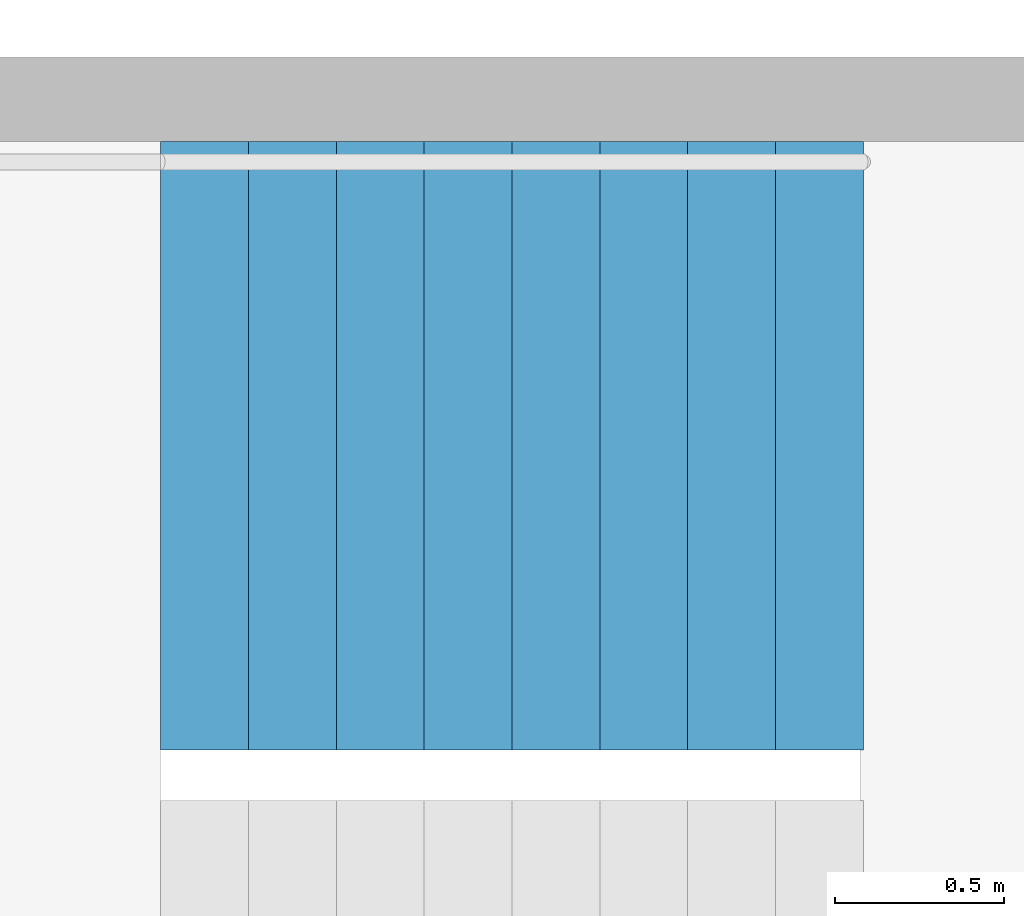
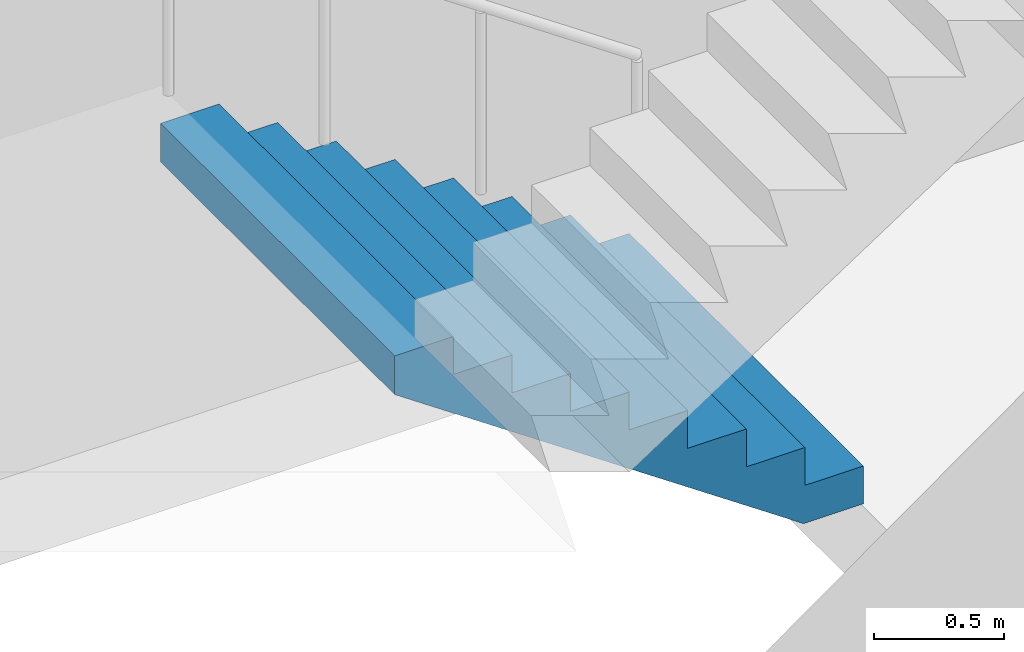
# One storey, part 21 of 34: 1 stair flight, 1 element without a shape of its own.
"""IFC4 building model written with IfcOpenShell, lengths in metres."""

from ifc_helpers import new_model, si_unit, direction, frame, origin, place, context, subcontext, project, spatial, triangles, material, type_object, element, aggregate, save


model = new_model("IFC4")

# Units and contexts
model_context = context("Model", 3, precision=1e-05, world=origin(), true_north=direction((0.0, 1.0)))
body_context = subcontext(model_context, "Body", "Model", "MODEL_VIEW")
ifc_project = project(units=[si_unit("LENGTHUNIT", "METRE"), si_unit("AREAUNIT", "SQUARE_METRE"), si_unit("VOLUMEUNIT", "CUBIC_METRE"), si_unit("PLANEANGLEUNIT", "RADIAN"), si_unit("MASSUNIT", "GRAM", prefix="KILO")], contexts=[model_context])

# Site, building, storey
site_placement = place(None, origin())
site = spatial("IfcSite", under=ifc_project, at=site_placement, CompositionType="ELEMENT")
building_placement = place(site_placement, origin())
building = spatial("IfcBuilding", under=site, at=building_placement, Name="Hakoniwa Tower and Hamabe Station Hall", CompositionType="ELEMENT")
storey_placement = place(building_placement, frame((0.0, 0.0, 94.60009765625)))
storey = spatial("IfcBuildingStorey", under=building, at=storey_placement, Name="L26", CompositionType="ELEMENT", Elevation=94.60009765625)

# Stair, stair flight
ifc_material_1 = material(Name="Concrete C40", Category="concrete")
stair_type = type_object("IfcStairType", Name="ESCAPE STAIR 1800", PredefinedType="HALF_TURN_STAIR", material=ifc_material_1)
stair_placement = place(storey_placement, origin())
stair = element("IfcStair", 1, at=stair_placement, inside=storey, type_object=stair_type, Name="Escape stair ST-2 L26", PredefinedType="HALF_TURN_STAIR")
ifc_material_2 = material(Name="Concrete C40", Category="concrete")
stair_flight_type = type_object("IfcStairFlightType", Name="STAIR FLIGHT 1800", PredefinedType="STRAIGHT", material=ifc_material_2)
stair_flight_placement = place(storey_placement, frame((-23.39990234375, -4.64990234375, 0.0), z_axis=(0.0, 0.0, 1.0), x_axis=(-1.0, 0.0, 0.0)))
stair_flight = element("IfcStairFlight", 2, at=stair_flight_placement, type_object=stair_flight_type, Name="ST-2 flight 1", NumberOfRisers=9, NumberOfTreads=8, PredefinedType="STRAIGHT", RiserHeight=0.177777778, TreadLength=0.26, context=body_context, shape_type="Tessellation", body=[
    triangles([(0.0, 0.89990234375, 0.0), (0.260009765625, 0.89990234375, 0.0), (0.265625, 0.89990234375, 0.0), (0.52001953125, 0.89990234375, 0.174072265625), (0.780029296875, 0.89990234375, 0.351806640625), (1.0400390625, 0.89990234375, 0.529541015625), (1.300048828125, 0.89990234375, 0.707275390625), (1.56005859375, 0.89990234375, 0.885009765625), (1.820068359375, 0.89990234375, 1.062744140625), (2.080078125, 0.89990234375, 1.24072265625), (2.080078125, 0.89990234375, 1.422119140625), (1.820068359375, 0.89990234375, 1.422119140625), (1.820068359375, 0.89990234375, 1.244384765625), (1.56005859375, 0.89990234375, 1.244384765625), (1.56005859375, 0.89990234375, 1.066650390625), (1.300048828125, 0.89990234375, 1.066650390625), (1.300048828125, 0.89990234375, 0.888916015625), (1.0400390625, 0.89990234375, 0.888916015625), (1.0400390625, 0.89990234375, 0.711181640625), (0.780029296875, 0.89990234375, 0.711181640625), (0.780029296875, 0.89990234375, 0.533447265625), (0.52001953125, 0.89990234375, 0.533447265625), (0.52001953125, 0.89990234375, 0.35546875), (0.265625, 0.89990234375, 0.35546875), (0.260009765625, 0.89990234375, 0.35546875), (0.260009765625, 0.89990234375, 0.177734375), (0.0, 0.89990234375, 0.177734375), (0.0, 0.06005859375, 0.0), (0.260009765625, 0.06005859375, 0.0), (0.265625, 0.06005859375, 0.0), (0.52001953125, 0.06005859375, 0.174072265625), (0.780029296875, 0.06005859375, 0.351806640625), (1.0400390625, 0.06005859375, 0.529541015625), (1.300048828125, 0.06005859375, 0.707275390625), (1.56005859375, 0.06005859375, 0.885009765625), (1.820068359375, 0.06005859375, 1.062744140625), (2.080078125, 0.06005859375, 1.24072265625), (2.080078125, 0.06005859375, 1.422119140625), (1.820068359375, 0.06005859375, 1.422119140625), (1.820068359375, 0.06005859375, 1.244384765625), (1.56005859375, 0.06005859375, 1.244384765625), (1.56005859375, 0.06005859375, 1.066650390625), (1.300048828125, 0.06005859375, 1.066650390625), (1.300048828125, 0.06005859375, 0.888916015625), (1.0400390625, 0.06005859375, 0.888916015625), (1.0400390625, 0.06005859375, 0.711181640625), (0.780029296875, 0.06005859375, 0.711181640625), (0.780029296875, 0.06005859375, 0.533447265625), (0.52001953125, 0.06005859375, 0.533447265625), (0.52001953125, 0.06005859375, 0.35546875), (0.265625, 0.06005859375, 0.35546875), (0.260009765625, 0.06005859375, 0.35546875), (0.260009765625, 0.06005859375, 0.177734375), (0.0, 0.06005859375, 0.177734375), (0.0, 0.04296875, 0.0), (0.260009765625, 0.04296875, 0.0), (0.265625, 0.04296875, 0.0), (0.52001953125, 0.04296875, 0.174072265625), (0.780029296875, 0.04296875, 0.351806640625), (1.0400390625, 0.04296875, 0.529541015625), (1.300048828125, 0.04296875, 0.707275390625), (1.56005859375, 0.04296875, 0.885009765625), (1.820068359375, 0.04296875, 1.062744140625), (2.080078125, 0.04296875, 1.24072265625), (2.080078125, 0.04296875, 1.422119140625), (1.820068359375, 0.04296875, 1.422119140625), (1.820068359375, 0.04296875, 1.244384765625), (1.56005859375, 0.04296875, 1.244384765625), (1.56005859375, 0.04296875, 1.066650390625), (1.300048828125, 0.04296875, 1.066650390625), (1.300048828125, 0.04296875, 0.888916015625), (1.0400390625, 0.04296875, 0.888916015625), (1.0400390625, 0.04296875, 0.711181640625), (0.780029296875, 0.04296875, 0.711181640625), (0.780029296875, 0.04296875, 0.533447265625), (0.52001953125, 0.04296875, 0.533447265625), (0.52001953125, 0.04296875, 0.35546875), (0.265625, 0.04296875, 0.35546875), (0.260009765625, 0.04296875, 0.35546875), (0.260009765625, 0.04296875, 0.177734375), (0.0, 0.04296875, 0.177734375), (0.0, 0.025634765625, 0.0), (0.260009765625, 0.025634765625, 0.0), (0.265625, 0.025634765625, 0.0), (0.52001953125, 0.025634765625, 0.174072265625), (0.780029296875, 0.025634765625, 0.351806640625), (1.0400390625, 0.025634765625, 0.529541015625), (1.300048828125, 0.025634765625, 0.707275390625), (1.56005859375, 0.025634765625, 0.885009765625), (1.820068359375, 0.025634765625, 1.062744140625), (2.080078125, 0.025634765625, 1.24072265625), (2.080078125, 0.025634765625, 1.422119140625), (1.820068359375, 0.025634765625, 1.422119140625), (1.820068359375, 0.025634765625, 1.244384765625), (1.56005859375, 0.025634765625, 1.244384765625), (1.56005859375, 0.025634765625, 1.066650390625), (1.300048828125, 0.025634765625, 1.066650390625), (1.300048828125, 0.025634765625, 0.888916015625), (1.0400390625, 0.025634765625, 0.888916015625), (1.0400390625, 0.025634765625, 0.711181640625), (0.780029296875, 0.025634765625, 0.711181640625), (0.780029296875, 0.025634765625, 0.533447265625), (0.52001953125, 0.025634765625, 0.533447265625), (0.52001953125, 0.025634765625, 0.35546875), (0.265625, 0.025634765625, 0.35546875), (0.260009765625, 0.025634765625, 0.35546875), (0.260009765625, 0.025634765625, 0.177734375), (0.0, 0.025634765625, 0.177734375), (0.0, 0.008544921875, 0.0), (0.260009765625, 0.008544921875, 0.0), (0.265625, 0.008544921875, 0.0), (0.52001953125, 0.008544921875, 0.174072265625), (0.780029296875, 0.008544921875, 0.351806640625), (1.0400390625, 0.008544921875, 0.529541015625), (1.300048828125, 0.008544921875, 0.707275390625), (1.56005859375, 0.008544921875, 0.885009765625), (1.820068359375, 0.008544921875, 1.062744140625), (2.080078125, 0.008544921875, 1.24072265625), (2.080078125, 0.008544921875, 1.422119140625), (1.820068359375, 0.008544921875, 1.422119140625), (1.820068359375, 0.008544921875, 1.244384765625), (1.56005859375, 0.008544921875, 1.244384765625), (1.56005859375, 0.008544921875, 1.066650390625), (1.300048828125, 0.008544921875, 1.066650390625), (1.300048828125, 0.008544921875, 0.888916015625), (1.0400390625, 0.008544921875, 0.888916015625), (1.0400390625, 0.008544921875, 0.711181640625), (0.780029296875, 0.008544921875, 0.711181640625), (0.780029296875, 0.008544921875, 0.533447265625), (0.52001953125, 0.008544921875, 0.533447265625), (0.52001953125, 0.008544921875, 0.35546875), (0.265625, 0.008544921875, 0.35546875), (0.260009765625, 0.008544921875, 0.35546875), (0.260009765625, 0.008544921875, 0.177734375), (0.0, 0.008544921875, 0.177734375), (0.0, -0.008544921875, 0.0), (0.260009765625, -0.008544921875, 0.0), (0.265625, -0.008544921875, 0.0), (0.52001953125, -0.008544921875, 0.174072265625), (0.780029296875, -0.008544921875, 0.351806640625), (1.0400390625, -0.008544921875, 0.529541015625), (1.300048828125, -0.008544921875, 0.707275390625), (1.56005859375, -0.008544921875, 0.885009765625), (1.820068359375, -0.008544921875, 1.062744140625), (2.080078125, -0.008544921875, 1.24072265625), (2.080078125, -0.008544921875, 1.422119140625), (1.820068359375, -0.008544921875, 1.422119140625), (1.820068359375, -0.008544921875, 1.244384765625), (1.56005859375, -0.008544921875, 1.244384765625), (1.56005859375, -0.008544921875, 1.066650390625), (1.300048828125, -0.008544921875, 1.066650390625), (1.300048828125, -0.008544921875, 0.888916015625), (1.0400390625, -0.008544921875, 0.888916015625), (1.0400390625, -0.008544921875, 0.711181640625), (0.780029296875, -0.008544921875, 0.711181640625), (0.780029296875, -0.008544921875, 0.533447265625), (0.52001953125, -0.008544921875, 0.533447265625), (0.52001953125, -0.008544921875, 0.35546875), (0.265625, -0.008544921875, 0.35546875), (0.260009765625, -0.008544921875, 0.35546875), (0.260009765625, -0.008544921875, 0.177734375), (0.0, -0.008544921875, 0.177734375), (0.0, -0.025634765625, 0.0), (0.260009765625, -0.025634765625, 0.0), (0.265625, -0.025634765625, 0.0), (0.52001953125, -0.025634765625, 0.174072265625), (0.780029296875, -0.025634765625, 0.351806640625), (1.0400390625, -0.025634765625, 0.529541015625), (1.300048828125, -0.025634765625, 0.707275390625), (1.56005859375, -0.025634765625, 0.885009765625), (1.820068359375, -0.025634765625, 1.062744140625), (2.080078125, -0.025634765625, 1.24072265625), (2.080078125, -0.025634765625, 1.422119140625), (1.820068359375, -0.025634765625, 1.422119140625), (1.820068359375, -0.025634765625, 1.244384765625), (1.56005859375, -0.025634765625, 1.244384765625), (1.56005859375, -0.025634765625, 1.066650390625), (1.300048828125, -0.025634765625, 1.066650390625), (1.300048828125, -0.025634765625, 0.888916015625), (1.0400390625, -0.025634765625, 0.888916015625), (1.0400390625, -0.025634765625, 0.711181640625), (0.780029296875, -0.025634765625, 0.711181640625), (0.780029296875, -0.025634765625, 0.533447265625), (0.52001953125, -0.025634765625, 0.533447265625), (0.52001953125, -0.025634765625, 0.35546875), (0.265625, -0.025634765625, 0.35546875), (0.260009765625, -0.025634765625, 0.35546875), (0.260009765625, -0.025634765625, 0.177734375), (0.0, -0.025634765625, 0.177734375), (0.0, -0.04296875, 0.0), (0.260009765625, -0.04296875, 0.0), (0.265625, -0.04296875, 0.0), (0.52001953125, -0.04296875, 0.174072265625), (0.780029296875, -0.04296875, 0.351806640625), (1.0400390625, -0.04296875, 0.529541015625), (1.300048828125, -0.04296875, 0.707275390625), (1.56005859375, -0.04296875, 0.885009765625), (1.820068359375, -0.04296875, 1.062744140625), (2.080078125, -0.04296875, 1.24072265625), (2.080078125, -0.04296875, 1.422119140625), (1.820068359375, -0.04296875, 1.422119140625), (1.820068359375, -0.04296875, 1.244384765625), (1.56005859375, -0.04296875, 1.244384765625), (1.56005859375, -0.04296875, 1.066650390625), (1.300048828125, -0.04296875, 1.066650390625), (1.300048828125, -0.04296875, 0.888916015625), (1.0400390625, -0.04296875, 0.888916015625), (1.0400390625, -0.04296875, 0.711181640625), (0.780029296875, -0.04296875, 0.711181640625), (0.780029296875, -0.04296875, 0.533447265625), (0.52001953125, -0.04296875, 0.533447265625), (0.52001953125, -0.04296875, 0.35546875), (0.265625, -0.04296875, 0.35546875), (0.260009765625, -0.04296875, 0.35546875), (0.260009765625, -0.04296875, 0.177734375), (0.0, -0.04296875, 0.177734375), (0.0, -0.06005859375, 0.0), (0.260009765625, -0.06005859375, 0.0), (0.265625, -0.06005859375, 0.0), (0.52001953125, -0.06005859375, 0.174072265625), (0.780029296875, -0.06005859375, 0.351806640625), (1.0400390625, -0.06005859375, 0.529541015625), (1.300048828125, -0.06005859375, 0.707275390625), (1.56005859375, -0.06005859375, 0.885009765625), (1.820068359375, -0.06005859375, 1.062744140625), (2.080078125, -0.06005859375, 1.24072265625), (2.080078125, -0.06005859375, 1.422119140625), (1.820068359375, -0.06005859375, 1.422119140625), (1.820068359375, -0.06005859375, 1.244384765625), (1.56005859375, -0.06005859375, 1.244384765625), (1.56005859375, -0.06005859375, 1.066650390625), (1.300048828125, -0.06005859375, 1.066650390625), (1.300048828125, -0.06005859375, 0.888916015625), (1.0400390625, -0.06005859375, 0.888916015625), (1.0400390625, -0.06005859375, 0.711181640625), (0.780029296875, -0.06005859375, 0.711181640625), (0.780029296875, -0.06005859375, 0.533447265625), (0.52001953125, -0.06005859375, 0.533447265625), (0.52001953125, -0.06005859375, 0.35546875), (0.265625, -0.06005859375, 0.35546875), (0.260009765625, -0.06005859375, 0.35546875), (0.260009765625, -0.06005859375, 0.177734375), (0.0, -0.06005859375, 0.177734375), (0.0, -0.89990234375, 0.0), (0.260009765625, -0.89990234375, 0.0), (0.265625, -0.89990234375, 0.0), (0.52001953125, -0.89990234375, 0.174072265625), (0.780029296875, -0.89990234375, 0.351806640625), (1.0400390625, -0.89990234375, 0.529541015625), (1.300048828125, -0.89990234375, 0.707275390625), (1.56005859375, -0.89990234375, 0.885009765625), (1.820068359375, -0.89990234375, 1.062744140625), (2.080078125, -0.89990234375, 1.24072265625), (2.080078125, -0.89990234375, 1.422119140625), (1.820068359375, -0.89990234375, 1.422119140625), (1.820068359375, -0.89990234375, 1.244384765625), (1.56005859375, -0.89990234375, 1.244384765625), (1.56005859375, -0.89990234375, 1.066650390625), (1.300048828125, -0.89990234375, 1.066650390625), (1.300048828125, -0.89990234375, 0.888916015625), (1.0400390625, -0.89990234375, 0.888916015625), (1.0400390625, -0.89990234375, 0.711181640625), (0.780029296875, -0.89990234375, 0.711181640625), (0.780029296875, -0.89990234375, 0.533447265625), (0.52001953125, -0.89990234375, 0.533447265625), (0.52001953125, -0.89990234375, 0.35546875), (0.265625, -0.89990234375, 0.35546875), (0.260009765625, -0.89990234375, 0.35546875), (0.260009765625, -0.89990234375, 0.177734375), (0.0, -0.89990234375, 0.177734375)], [[2, 27, 26], [245, 269, 270], [2, 1, 27], [245, 270, 244], [3, 25, 24], [246, 267, 268], [3, 26, 25], [246, 268, 269], [3, 2, 26], [246, 269, 245], [4, 24, 23], [247, 266, 267], [4, 3, 24], [247, 267, 246], [5, 22, 21], [248, 264, 265], [5, 23, 22], [248, 265, 266], [5, 4, 23], [248, 266, 247], [6, 20, 19], [249, 262, 263], [6, 21, 20], [249, 263, 264], [6, 5, 21], [249, 264, 248], [7, 18, 17], [250, 260, 261], [7, 19, 18], [250, 261, 262], [7, 6, 19], [250, 262, 249], [8, 16, 15], [251, 258, 259], [8, 17, 16], [251, 259, 260], [8, 7, 17], [251, 260, 250], [9, 14, 13], [252, 256, 257], [9, 15, 14], [252, 257, 258], [9, 8, 15], [252, 258, 251], [10, 12, 11], [253, 254, 255], [10, 13, 12], [253, 255, 256], [10, 9, 13], [253, 256, 252], [1, 2, 29], [1, 29, 28], [28, 29, 56], [28, 56, 55], [55, 56, 83], [55, 83, 82], [82, 83, 110], [82, 110, 109], [109, 110, 137], [109, 137, 136], [136, 137, 164], [136, 164, 163], [163, 164, 191], [163, 191, 190], [190, 191, 218], [190, 218, 217], [217, 218, 245], [217, 245, 244], [2, 3, 30], [2, 30, 29], [29, 30, 57], [29, 57, 56], [56, 57, 84], [56, 84, 83], [83, 84, 111], [83, 111, 110], [110, 111, 138], [110, 138, 137], [137, 138, 165], [137, 165, 164], [164, 165, 192], [164, 192, 191], [191, 192, 219], [191, 219, 218], [218, 219, 246], [218, 246, 245], [3, 4, 31], [3, 31, 30], [30, 31, 58], [30, 58, 57], [57, 58, 85], [57, 85, 84], [84, 85, 112], [84, 112, 111], [111, 112, 139], [111, 139, 138], [138, 139, 166], [138, 166, 165], [165, 166, 193], [165, 193, 192], [192, 193, 220], [192, 220, 219], [219, 220, 247], [219, 247, 246], [4, 5, 32], [4, 32, 31], [31, 32, 59], [31, 59, 58], [58, 59, 86], [58, 86, 85], [85, 86, 113], [85, 113, 112], [112, 113, 140], [112, 140, 139], [139, 140, 167], [139, 167, 166], [166, 167, 194], [166, 194, 193], [193, 194, 221], [193, 221, 220], [220, 221, 248], [220, 248, 247], [5, 6, 33], [5, 33, 32], [32, 33, 60], [32, 60, 59], [59, 60, 87], [59, 87, 86], [86, 87, 114], [86, 114, 113], [113, 114, 141], [113, 141, 140], [140, 141, 168], [140, 168, 167], [167, 168, 195], [167, 195, 194], [194, 195, 222], [194, 222, 221], [221, 222, 249], [221, 249, 248], [6, 7, 34], [6, 34, 33], [33, 34, 61], [33, 61, 60], [60, 61, 88], [60, 88, 87], [87, 88, 115], [87, 115, 114], [114, 115, 142], [114, 142, 141], [141, 142, 169], [141, 169, 168], [168, 169, 196], [168, 196, 195], [195, 196, 223], [195, 223, 222], [222, 223, 250], [222, 250, 249], [7, 8, 35], [7, 35, 34], [34, 35, 62], [34, 62, 61], [61, 62, 89], [61, 89, 88], [88, 89, 116], [88, 116, 115], [115, 116, 143], [115, 143, 142], [142, 143, 170], [142, 170, 169], [169, 170, 197], [169, 197, 196], [196, 197, 224], [196, 224, 223], [223, 224, 251], [223, 251, 250], [8, 9, 36], [8, 36, 35], [35, 36, 63], [35, 63, 62], [62, 63, 90], [62, 90, 89], [89, 90, 117], [89, 117, 116], [116, 117, 144], [116, 144, 143], [143, 144, 171], [143, 171, 170], [170, 171, 198], [170, 198, 197], [197, 198, 225], [197, 225, 224], [224, 225, 252], [224, 252, 251], [9, 10, 37], [9, 37, 36], [36, 37, 64], [36, 64, 63], [63, 64, 91], [63, 91, 90], [90, 91, 118], [90, 118, 117], [117, 118, 145], [117, 145, 144], [144, 145, 172], [144, 172, 171], [171, 172, 199], [171, 199, 198], [198, 199, 226], [198, 226, 225], [225, 226, 253], [225, 253, 252], [10, 11, 38], [10, 38, 37], [37, 38, 65], [37, 65, 64], [64, 65, 92], [64, 92, 91], [91, 92, 119], [91, 119, 118], [118, 119, 146], [118, 146, 145], [145, 146, 173], [145, 173, 172], [172, 173, 200], [172, 200, 199], [199, 200, 227], [199, 227, 226], [226, 227, 254], [226, 254, 253], [11, 12, 39], [11, 39, 38], [38, 39, 66], [38, 66, 65], [65, 66, 93], [65, 93, 92], [92, 93, 120], [92, 120, 119], [119, 120, 147], [119, 147, 146], [146, 147, 174], [146, 174, 173], [173, 174, 201], [173, 201, 200], [200, 201, 228], [200, 228, 227], [227, 228, 255], [227, 255, 254], [12, 13, 40], [12, 40, 39], [39, 40, 67], [39, 67, 66], [66, 67, 94], [66, 94, 93], [93, 94, 121], [93, 121, 120], [120, 121, 148], [120, 148, 147], [147, 148, 175], [147, 175, 174], [174, 175, 202], [174, 202, 201], [201, 202, 229], [201, 229, 228], [228, 229, 256], [228, 256, 255], [13, 14, 41], [13, 41, 40], [40, 41, 68], [40, 68, 67], [67, 68, 95], [67, 95, 94], [94, 95, 122], [94, 122, 121], [121, 122, 149], [121, 149, 148], [148, 149, 176], [148, 176, 175], [175, 176, 203], [175, 203, 202], [202, 203, 230], [202, 230, 229], [229, 230, 257], [229, 257, 256], [14, 15, 42], [14, 42, 41], [41, 42, 69], [41, 69, 68], [68, 69, 96], [68, 96, 95], [95, 96, 123], [95, 123, 122], [122, 123, 150], [122, 150, 149], [149, 150, 177], [149, 177, 176], [176, 177, 204], [176, 204, 203], [203, 204, 231], [203, 231, 230], [230, 231, 258], [230, 258, 257], [15, 16, 43], [15, 43, 42], [42, 43, 70], [42, 70, 69], [69, 70, 97], [69, 97, 96], [96, 97, 124], [96, 124, 123], [123, 124, 151], [123, 151, 150], [150, 151, 178], [150, 178, 177], [177, 178, 205], [177, 205, 204], [204, 205, 232], [204, 232, 231], [231, 232, 259], [231, 259, 258], [16, 17, 44], [16, 44, 43], [43, 44, 71], [43, 71, 70], [70, 71, 98], [70, 98, 97], [97, 98, 125], [97, 125, 124], [124, 125, 152], [124, 152, 151], [151, 152, 179], [151, 179, 178], [178, 179, 206], [178, 206, 205], [205, 206, 233], [205, 233, 232], [232, 233, 260], [232, 260, 259], [17, 18, 45], [17, 45, 44], [44, 45, 72], [44, 72, 71], [71, 72, 99], [71, 99, 98], [98, 99, 126], [98, 126, 125], [125, 126, 153], [125, 153, 152], [152, 153, 180], [152, 180, 179], [179, 180, 207], [179, 207, 206], [206, 207, 234], [206, 234, 233], [233, 234, 261], [233, 261, 260], [18, 19, 46], [18, 46, 45], [45, 46, 73], [45, 73, 72], [72, 73, 100], [72, 100, 99], [99, 100, 127], [99, 127, 126], [126, 127, 154], [126, 154, 153], [153, 154, 181], [153, 181, 180], [180, 181, 208], [180, 208, 207], [207, 208, 235], [207, 235, 234], [234, 235, 262], [234, 262, 261], [19, 20, 47], [19, 47, 46], [46, 47, 74], [46, 74, 73], [73, 74, 101], [73, 101, 100], [100, 101, 128], [100, 128, 127], [127, 128, 155], [127, 155, 154], [154, 155, 182], [154, 182, 181], [181, 182, 209], [181, 209, 208], [208, 209, 236], [208, 236, 235], [235, 236, 263], [235, 263, 262], [20, 21, 48], [20, 48, 47], [47, 48, 75], [47, 75, 74], [74, 75, 102], [74, 102, 101], [101, 102, 129], [101, 129, 128], [128, 129, 156], [128, 156, 155], [155, 156, 183], [155, 183, 182], [182, 183, 210], [182, 210, 209], [209, 210, 237], [209, 237, 236], [236, 237, 264], [236, 264, 263], [21, 22, 49], [21, 49, 48], [48, 49, 76], [48, 76, 75], [75, 76, 103], [75, 103, 102], [102, 103, 130], [102, 130, 129], [129, 130, 157], [129, 157, 156], [156, 157, 184], [156, 184, 183], [183, 184, 211], [183, 211, 210], [210, 211, 238], [210, 238, 237], [237, 238, 265], [237, 265, 264], [22, 23, 50], [22, 50, 49], [49, 50, 77], [49, 77, 76], [76, 77, 104], [76, 104, 103], [103, 104, 131], [103, 131, 130], [130, 131, 158], [130, 158, 157], [157, 158, 185], [157, 185, 184], [184, 185, 212], [184, 212, 211], [211, 212, 239], [211, 239, 238], [238, 239, 266], [238, 266, 265], [23, 24, 51], [23, 51, 50], [50, 51, 78], [50, 78, 77], [77, 78, 105], [77, 105, 104], [104, 105, 132], [104, 132, 131], [131, 132, 159], [131, 159, 158], [158, 159, 186], [158, 186, 185], [185, 186, 213], [185, 213, 212], [212, 213, 240], [212, 240, 239], [239, 240, 267], [239, 267, 266], [24, 25, 52], [24, 52, 51], [51, 52, 79], [51, 79, 78], [78, 79, 106], [78, 106, 105], [105, 106, 133], [105, 133, 132], [132, 133, 160], [132, 160, 159], [159, 160, 187], [159, 187, 186], [186, 187, 214], [186, 214, 213], [213, 214, 241], [213, 241, 240], [240, 241, 268], [240, 268, 267], [25, 26, 53], [25, 53, 52], [52, 53, 80], [52, 80, 79], [79, 80, 107], [79, 107, 106], [106, 107, 134], [106, 134, 133], [133, 134, 161], [133, 161, 160], [160, 161, 188], [160, 188, 187], [187, 188, 215], [187, 215, 214], [214, 215, 242], [214, 242, 241], [241, 242, 269], [241, 269, 268], [26, 27, 54], [26, 54, 53], [53, 54, 81], [53, 81, 80], [80, 81, 108], [80, 108, 107], [107, 108, 135], [107, 135, 134], [134, 135, 162], [134, 162, 161], [161, 162, 189], [161, 189, 188], [188, 189, 216], [188, 216, 215], [215, 216, 243], [215, 243, 242], [242, 243, 270], [242, 270, 269], [27, 1, 28], [27, 28, 54], [54, 28, 55], [54, 55, 81], [81, 55, 82], [81, 82, 108], [108, 82, 109], [108, 109, 135], [135, 109, 136], [135, 136, 162], [162, 136, 163], [162, 163, 189], [189, 163, 190], [189, 190, 216], [216, 190, 217], [216, 217, 243], [243, 217, 244], [243, 244, 270]], closed=True),
])
aggregate(stair, [stair_flight])

save(model, "model.ifc")
